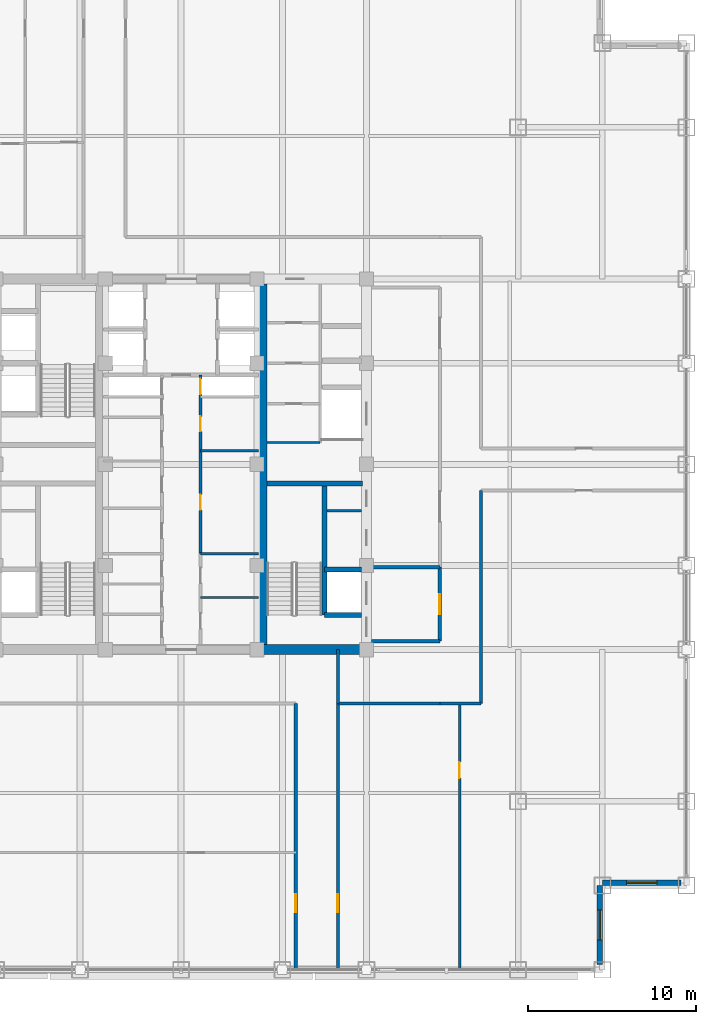
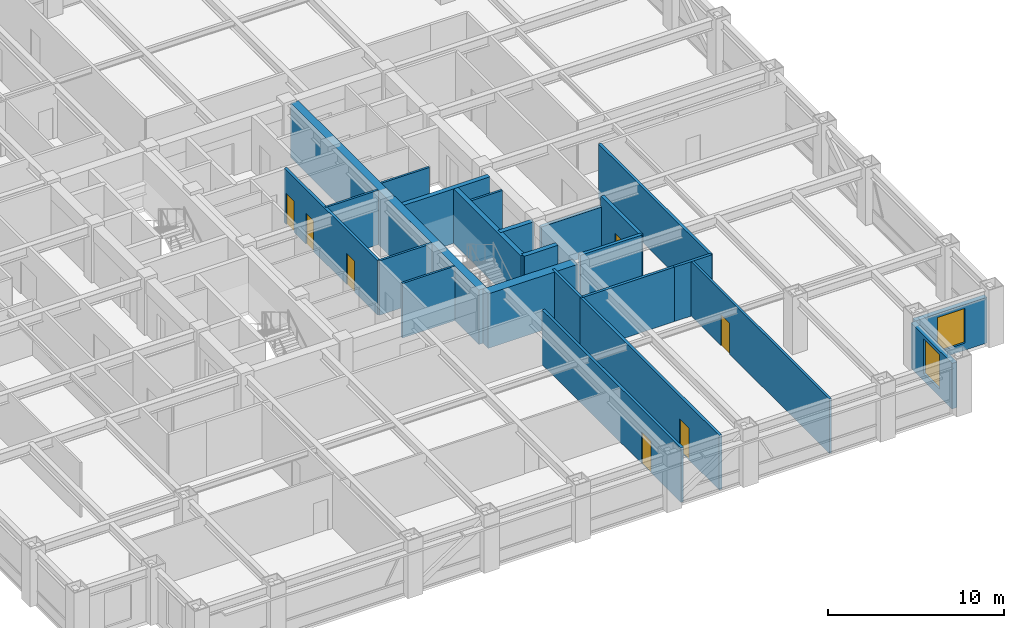
# One storey, part 21 of 29: 24 walls, 7 doors, 2 windows, 9 openings.
"""IFC4 building model written with IfcOpenShell, lengths in metres."""

from ifc_helpers import new_model, si_unit, direction, frame, frame_2d, origin, place, context, subcontext, project, spatial, rectangle, extrude, source, transform, mapped, material, layer, layer_set, type_object, element, fill, save


model = new_model("IFC4")

# Units and contexts
model_context = context("Model", 3, precision=1e-05, world=origin(), true_north=direction((0.0, 1.0)))
body_context = subcontext(model_context, "Body", "Model", "MODEL_VIEW")
ifc_project = project(units=[si_unit("LENGTHUNIT", "METRE"), si_unit("AREAUNIT", "SQUARE_METRE"), si_unit("VOLUMEUNIT", "CUBIC_METRE"), si_unit("PLANEANGLEUNIT", "RADIAN"), si_unit("MASSUNIT", "GRAM", prefix="KILO")], contexts=[model_context])

# Site, building, storey
site_placement = place(None, origin())
site = spatial("IfcSite", under=ifc_project, at=site_placement, CompositionType="ELEMENT")
building_placement = place(site_placement, origin())
building = spatial("IfcBuilding", under=site, at=building_placement, Name="Khorayat Bourse Tower", CompositionType="ELEMENT")
storey_placement = place(building_placement, frame((0.0, 0.0, 243.10009765625)))
storey = spatial("IfcBuildingStorey", under=building, at=storey_placement, Name="L57", CompositionType="ELEMENT", Elevation=243.10009765625)

# Walls
ifc_material_1 = material(Name="Concrete C52/65", Category="concrete")
ifc_layer_1 = layer(ifc_material_1, 0.5)
ifc_layer_set_1 = layer_set([ifc_layer_1], Name="Concrete C52/65")
wall_type_1 = type_object("IfcWallType", Name="WAL-CORE-500", PredefinedType="SHEAR", material=ifc_layer_set_1)
shared_shape_1 = source(origin(), body_context, "Body", "SweptSolid", [
    extrude(rectangle(XDim=21.39990234375, YDim=0.5, at=frame_2d((10.699951171875, 0.0))), origin(), (0.0, 0.0, 1.0), 3.77978515625),
])
wall_1_placement = place(storey_placement, frame((4.85009765625, -10.699951171875, 0.0), z_axis=(0.0, 0.0, 1.0), x_axis=(0.0, 1.0, 0.0)))
element("IfcWall", 1, at=wall_1_placement, inside=storey, type_object=wall_type_1, Name="L57 Core Shear Wall PIER-E", PredefinedType="SHEAR", context=body_context, shape_type="MappedRepresentation", body=[
    mapped(shared_shape_1, transform((0.0, 0.0, 0.0), scale=1.0)),
])
ifc_material_2 = material(Name="Concrete C60/75", Category="concrete")
ifc_layer_2 = layer(ifc_material_2, 0.60009765625)
ifc_layer_set_2 = layer_set([ifc_layer_2], Name="Concrete C60/75")
wall_type_2 = type_object("IfcWallType", Name="WAL-CORE-600", PredefinedType="SHEAR", material=ifc_layer_set_2)
shared_shape_2 = source(origin(), body_context, "Body", "SweptSolid", [
    extrude(rectangle(XDim=5.89990234375, YDim=0.60009765625, at=frame_2d((2.949951171875, 0.0))), origin(), (0.0, 0.0, 1.0), 3.77978515625),
])
wall_2_placement = place(storey_placement, frame((4.85009765625, -11.0, 0.0), z_axis=(0.0, 0.0, 1.0), x_axis=(1.0, 0.0, 0.0)))
element("IfcWall", 2, at=wall_2_placement, inside=storey, type_object=wall_type_2, Name="L57 Core Shear Wall PIER-ES", PredefinedType="SHEAR", context=body_context, shape_type="MappedRepresentation", body=[
    mapped(shared_shape_2, transform((0.0, 0.0, 0.0), scale=1.0)),
])
ifc_material_3 = material(Name="Concrete C50/60", Category="concrete")
ifc_layer_3 = layer(ifc_material_3, 0.300048828125)
ifc_layer_set_3 = layer_set([ifc_layer_3], Name="Concrete C50/60")
wall_type_3 = type_object("IfcWallType", Name="WAL-SHAFT-300", PredefinedType="SHEAR", material=ifc_layer_set_3)
shared_shape_3 = source(origin(), body_context, "Body", "SweptSolid", [
    extrude(rectangle(XDim=5.64990234375, YDim=0.300048828125, at=frame_2d((2.824951171875, 0.0))), origin(), (0.0, 0.0, 1.0), 3.77978515625),
])
wall_3_placement = place(storey_placement, frame((5.10009765625, -1.14990234375, 0.0), z_axis=(0.0, 0.0, 1.0), x_axis=(1.0, 0.0, 0.0)))
element("IfcWall", 3, at=wall_3_placement, inside=storey, type_object=wall_type_3, Name="L57 Core Shear Wall ST3-DIV", PredefinedType="SHEAR", context=body_context, shape_type="MappedRepresentation", body=[
    mapped(shared_shape_3, transform((0.0, 0.0, 0.0), scale=1.0)),
])

# Wall, opening, window
ifc_material_4 = material(Name="Precast concrete C45/55", Category="concrete")
ifc_layer_4 = layer(ifc_material_4, 0.320068359375)
ifc_layer_set_4 = layer_set([ifc_layer_4], Name="Precast concrete C45/55")
wall_type_4 = type_object("IfcWallType", Name="WAL-EXT-STONE-320", PredefinedType="STANDARD", material=ifc_layer_set_4)
shared_shape_4 = source(origin(), body_context, "Body", "SweptSolid", [
    extrude(rectangle(XDim=4.679931640625, YDim=0.320068359375, at=frame_2d((2.33984375, 0.0))), origin(), (0.0, 0.0, 1.0), 3.163818359375),
])
wall_4_placement = place(storey_placement, frame((24.840087890625, -29.679931640625, 0.0), z_axis=(0.0, 0.0, 1.0), x_axis=(0.0, 1.0, 0.0)))
wall_4 = element("IfcWall", 4, at=wall_4_placement, inside=storey, type_object=wall_type_4, Name="L57 Re-Entrant Notch Limestone Wall SE-V", PredefinedType="STANDARD", context=body_context, shape_type="MappedRepresentation", body=[
    mapped(shared_shape_4, transform((0.0, 0.0, 0.0), scale=1.0)),
])
shared_shape_5 = source(origin(), body_context, "Body", "SweptSolid", [
    extrude(rectangle(XDim=1.800048828125, YDim=2.39990234375, at=frame_2d((0.89990234375, 1.199951171875))), frame((0.0, 0.169921875, 0.0), z_axis=(0.0, -1.0, 0.0), x_axis=(1.0, 0.0, 0.0)), (0.0, 0.0, 1.0), 0.340087890625),
])
opening_1_placement = place(wall_4_placement, frame((1.43994140625, 0.0, 0.5)))
opening_1 = element("IfcOpeningElement", 5, at=opening_1_placement, cuts=wall_4, Name="Opening WN-04", PredefinedType="OPENING", context=body_context, shape_type="MappedRepresentation", body=[
    mapped(shared_shape_5, transform((0.0, 0.0, 0.0), scale=1.0)),
])
ifc_material_5 = material(Name="Low-E acoustic laminated double glazing", Category="glass")
window_type = type_object("IfcWindowType", Name="WIN-NOTCH-1800x2400", PartitioningType="SINGLE_PANEL", PredefinedType="WINDOW", material=ifc_material_5)
shared_shape_6 = source(origin(), body_context, "Body", "SweptSolid", [
    extrude(rectangle(XDim=1.800048828125, YDim=2.39990234375, at=frame_2d((0.89990234375, 1.199951171875))), frame((0.0, 0.030029296875, 0.0), z_axis=(0.0, -1.0, 0.0), x_axis=(1.0, 0.0, 0.0)), (0.0, 0.0, 1.0), 0.06005859375),
])
window_1_placement = place(opening_1_placement, origin())
window_1 = element("IfcWindow", 6, at=window_1_placement, inside=storey, type_object=window_type, Name="L57 Facade Window 1", OverallHeight=2.39990234375, OverallWidth=1.800048828125, PartitioningType="SINGLE_PANEL", PredefinedType="WINDOW", context=body_context, shape_type="MappedRepresentation", body=[
    mapped(shared_shape_6, transform((0.0, 0.0, 0.0), scale=1.0)),
])
fill(opening_1, window_1)

wall_5_placement = place(storey_placement, frame((25.0, -24.840087890625, 0.0), z_axis=(0.0, 0.0, 1.0), x_axis=(1.0, 0.0, 0.0)))
wall_5 = element("IfcWall", 7, at=wall_5_placement, inside=storey, type_object=wall_type_4, Name="L57 Re-Entrant Notch Limestone Wall SE-H", PredefinedType="STANDARD", context=body_context, shape_type="MappedRepresentation", body=[
    mapped(shared_shape_4, transform((0.0, 0.0, 0.0), scale=1.0)),
])
opening_2_placement = place(wall_5_placement, frame((1.43994140625, 0.0, 0.5)))
opening_2 = element("IfcOpeningElement", 8, at=opening_2_placement, cuts=wall_5, Name="Opening WN-04", PredefinedType="OPENING", context=body_context, shape_type="MappedRepresentation", body=[
    mapped(shared_shape_5, transform((0.0, 0.0, 0.0), scale=1.0)),
])
window_2_placement = place(opening_2_placement, origin())
window_2 = element("IfcWindow", 9, at=window_2_placement, inside=storey, type_object=window_type, Name="L57 Facade Window 1", OverallHeight=2.39990234375, OverallWidth=1.800048828125, PartitioningType="SINGLE_PANEL", PredefinedType="WINDOW", context=body_context, shape_type="MappedRepresentation", body=[
    mapped(shared_shape_6, transform((0.0, 0.0, 0.0), scale=1.0)),
])
fill(opening_2, window_2)

# Walls
ifc_material_6 = material(Name="Aerated concrete blockwork", Category="masonry")
ifc_layer_5 = layer(ifc_material_6, 0.219970703125)
ifc_layer_set_5 = layer_set([ifc_layer_5], Name="Aerated concrete blockwork")
wall_type_5 = type_object("IfcWallType", Name="WAL-PART-FF-220", PredefinedType="PARTITIONING", material=ifc_layer_set_5)
shared_shape_7 = source(origin(), body_context, "Body", "SweptSolid", [
    extrude(rectangle(XDim=4.050048828125, YDim=0.219970703125, at=frame_2d((2.02490234375, 0.0))), origin(), (0.0, 0.0, 1.0), 3.0849609375),
])
wall_6_placement = place(storey_placement, frame((11.300048828125, -6.10009765625, 0.0), z_axis=(0.0, 0.0, 1.0), x_axis=(1.0, 0.0, 0.0)))
element("IfcWall", 10, at=wall_6_placement, inside=storey, type_object=wall_type_5, Name="L57 Partition WAL-L57-FFLE-N", PredefinedType="PARTITIONING", context=body_context, shape_type="MappedRepresentation", body=[
    mapped(shared_shape_7, transform((0.0, 0.0, 0.0), scale=1.0)),
])
shared_shape_8 = source(origin(), body_context, "Body", "SweptSolid", [
    extrude(rectangle(XDim=7.800048828125, YDim=0.300048828125, at=frame_2d((3.89990234375, 0.0))), origin(), (0.0, 0.0, 1.0), 3.77978515625),
])
wall_7_placement = place(storey_placement, frame((8.5, -8.949951171875, 0.0), z_axis=(0.0, 0.0, 1.0), x_axis=(0.0, 1.0, 0.0)))
element("IfcWall", 11, at=wall_7_placement, inside=storey, type_object=wall_type_3, Name="L57 Partition WAL-L57-EPIER-SP", PredefinedType="SHEAR", context=body_context, shape_type="MappedRepresentation", body=[
    mapped(shared_shape_8, transform((0.0, 0.0, 0.0), scale=1.0)),
])
shared_shape_9 = source(origin(), body_context, "Body", "SweptSolid", [
    extrude(rectangle(XDim=2.199951171875, YDim=0.300048828125, at=frame_2d((1.10009765625, 0.0))), origin(), (0.0, 0.0, 1.0), 3.77978515625),
])
for number, where, z_axis, x_axis, name in (
    (12, (8.5, -8.949951171875, 0.0), (0.0, 0.0, 1.0), (1.0, 0.0, 0.0), "L57 Partition WAL-L57-EPIER-FF2S"),
    (13, (8.5, -6.25, 0.0), (0.0, 0.0, 1.0), (1.0, 0.0, 0.0), "L57 Partition WAL-L57-EPIER-FF2N"),
):
    element("IfcWall", number, at=place(storey_placement, frame(where, z_axis=z_axis, x_axis=x_axis)), inside=storey, type_object=wall_type_3, Name=name, PredefinedType="SHEAR", context=body_context, shape_type="MappedRepresentation", body=[
        mapped(shared_shape_9, transform((0.0, 0.0, 0.0), scale=1.0)),
    ])
ifc_material_7 = material(Name="Gypsum plasterboard twin-frame partition")
ifc_layer_6 = layer(ifc_material_7, 0.14990234375)
ifc_layer_set_6 = layer_set([ifc_layer_6], Name="Gypsum plasterboard twin-frame partition")
wall_type_6 = type_object("IfcWallType", Name="WAL-PART-SUITE-150", PredefinedType="PARTITIONING", material=ifc_layer_set_6)
shared_shape_10 = source(origin(), body_context, "Body", "SweptSolid", [
    extrude(rectangle(XDim=2.050048828125, YDim=0.14990234375, at=frame_2d((1.02490234375, 0.0))), origin(), (0.0, 0.0, 1.0), 3.77978515625),
])
wall_8_placement = place(storey_placement, frame((8.64990234375, -2.75, 0.0), z_axis=(0.0, 0.0, 1.0), x_axis=(1.0, 0.0, 0.0)))
element("IfcWall", 14, at=wall_8_placement, inside=storey, type_object=wall_type_6, Name="L57 Partition WAL-L57-ESRV-D1", PredefinedType="PARTITIONING", context=body_context, shape_type="MappedRepresentation", body=[
    mapped(shared_shape_10, transform((0.0, 0.0, 0.0), scale=1.0)),
])
ifc_material_8 = material(Name="Moisture-resistant masonry partition", Category="masonry")
ifc_layer_7 = layer(ifc_material_8, 0.139892578125)
ifc_layer_set_7 = layer_set([ifc_layer_7], Name="Moisture-resistant masonry partition")
wall_type_7 = type_object("IfcWallType", Name="WAL-PART-WET-140", PredefinedType="PARTITIONING", material=ifc_layer_set_7)
shared_shape_11 = source(origin(), body_context, "Body", "SweptSolid", [
    extrude(rectangle(XDim=3.14990234375, YDim=0.139892578125, at=frame_2d((1.574951171875, 0.0))), origin(), (0.0, 0.0, 1.0), 3.77978515625),
])
wall_9_placement = place(storey_placement, frame((5.10009765625, 1.300048828125, 0.0), z_axis=(0.0, 0.0, 1.0), x_axis=(1.0, 0.0, 0.0)))
element("IfcWall", 15, at=wall_9_placement, inside=storey, type_object=wall_type_7, Name="L57 Partition WAL-L57-ECORE-S", PredefinedType="PARTITIONING", context=body_context, shape_type="MappedRepresentation", body=[
    mapped(shared_shape_11, transform((0.0, 0.0, 0.0), scale=1.0)),
])
shared_shape_12 = source(origin(), body_context, "Body", "SweptSolid", [
    extrude(rectangle(XDim=4.050048828125, YDim=0.219970703125, at=frame_2d((2.02490234375, 0.0))), origin(), (0.0, 0.0, 1.0), 3.77978515625),
])
wall_10_placement = place(storey_placement, frame((11.300048828125, -10.5, 0.0), z_axis=(0.0, 0.0, 1.0), x_axis=(1.0, 0.0, 0.0)))
element("IfcWall", 16, at=wall_10_placement, inside=storey, type_object=wall_type_5, Name="L57 Partition WAL-L57-FFLE-S", PredefinedType="PARTITIONING", context=body_context, shape_type="MappedRepresentation", body=[
    mapped(shared_shape_12, transform((0.0, 0.0, 0.0), scale=1.0)),
])

# Wall, opening, door
shared_shape_13 = source(origin(), body_context, "Body", "SweptSolid", [
    extrude(rectangle(XDim=4.39990234375, YDim=0.219970703125, at=frame_2d((2.199951171875, 0.0))), origin(), (0.0, 0.0, 1.0), 3.77978515625),
])
wall_11_placement = place(storey_placement, frame((15.35009765625, -10.5, 0.0), z_axis=(0.0, 0.0, 1.0), x_axis=(0.0, 1.0, 0.0)))
wall_11 = element("IfcWall", 17, at=wall_11_placement, inside=storey, type_object=wall_type_5, Name="L57 Partition WAL-L57-FFLE-E", PredefinedType="PARTITIONING", context=body_context, shape_type="MappedRepresentation", body=[
    mapped(shared_shape_13, transform((0.0, 0.0, 0.0), scale=1.0)),
])
shared_shape_14 = source(origin(), body_context, "Body", "SweptSolid", [
    extrude(rectangle(XDim=1.199951171875, YDim=2.199951171875, at=frame_2d((0.60009765625, 1.10009765625))), frame((0.0, 0.119873046875, 0.0), z_axis=(0.0, -1.0, 0.0), x_axis=(1.0, 0.0, 0.0)), (0.0, 0.0, 1.0), 0.239990234375),
])
opening_3_placement = place(wall_11_placement, frame((1.60009765625, 0.0, 0.0)))
opening_3 = element("IfcOpeningElement", 18, at=opening_3_placement, cuts=wall_11, Name="Opening DI-02", PredefinedType="OPENING", context=body_context, shape_type="MappedRepresentation", body=[
    mapped(shared_shape_14, transform((0.0, 0.0, 0.0), scale=1.0)),
])
ifc_material_9 = material(Name="Fire-rated steel double-seal leaf", Category="steel")
door_type_1 = type_object("IfcDoorType", Name="DR-INT-FFLOBBY-1200", OperationType="NOTDEFINED", PredefinedType="DOOR", material=ifc_material_9)
shared_shape_15 = source(origin(), body_context, "Body", "SweptSolid", [
    extrude(rectangle(XDim=1.199951171875, YDim=2.199951171875, at=frame_2d((0.60009765625, 1.10009765625))), frame((0.0, 0.02490234375, 0.0), z_axis=(0.0, -1.0, 0.0), x_axis=(1.0, 0.0, 0.0)), (0.0, 0.0, 1.0), 0.050048828125),
])
door_1_placement = place(opening_3_placement, origin())
door_1 = element("IfcDoor", 19, at=door_1_placement, inside=storey, type_object=door_type_1, Name="L57 East Firefighting Lobby Door", OperationType="SINGLE_SWING_RIGHT", OverallHeight=2.199951171875, OverallWidth=1.199951171875, PredefinedType="DOOR", context=body_context, shape_type="MappedRepresentation", body=[
    mapped(shared_shape_15, transform((0.0, 0.0, 0.0), scale=1.0)),
])
fill(opening_3, door_1)

# Walls
shared_shape_16 = source(origin(), body_context, "Body", "SweptSolid", [
    extrude(rectangle(XDim=3.4501953125, YDim=0.14990234375, at=frame_2d((1.72509765625, 0.0))), origin(), (0.0, 0.0, 1.0), 3.77978515625),
])
wall_12_placement = place(storey_placement, frame((1.14990234375, -5.300048828125, 0.0), z_axis=(0.0, 0.0, 1.0), x_axis=(1.0, 0.0, 0.0)))
element("IfcWall", 20, at=wall_12_placement, inside=storey, type_object=wall_type_6, Name="L57 Partition WAL-L57-FB1-NE", PredefinedType="PARTITIONING", context=body_context, shape_type="MappedRepresentation", body=[
    mapped(shared_shape_16, transform((0.0, 0.0, 0.0), scale=1.0)),
])
shared_shape_17 = source(origin(), body_context, "Body", "SweptSolid", [
    extrude(rectangle(XDim=3.4501953125, YDim=0.139892578125, at=frame_2d((1.72509765625, 0.0))), origin(), (0.0, 0.0, 1.0), 3.77978515625),
])
for number, where, z_axis, x_axis, name in (
    (21, (1.14990234375, -7.89990234375, 0.0), (0.0, 0.0, 1.0), (1.0, 0.0, 0.0), "L57 Partition WAL-L57-FB1E-D1"),
    (22, (1.14990234375, 0.800048828125, 0.0), (0.0, 0.0, 1.0), (1.0, 0.0, 0.0), "L57 Partition WAL-L57-CME-D1"),
):
    element("IfcWall", number, at=place(storey_placement, frame(where, z_axis=z_axis, x_axis=x_axis)), inside=storey, type_object=wall_type_7, Name=name, PredefinedType="PARTITIONING", context=body_context, shape_type="MappedRepresentation", body=[
        mapped(shared_shape_17, transform((0.0, 0.0, 0.0), scale=1.0)),
    ])

# Wall, openings, doors
ifc_material_10 = material(Name="Gypsum plasterboard acoustic stud wall")
ifc_layer_8 = layer(ifc_material_10, 0.179931640625)
ifc_layer_set_8 = layer_set([ifc_layer_8], Name="Gypsum plasterboard acoustic stud wall")
wall_type_8 = type_object("IfcWallType", Name="WAL-PART-CORR-180", PredefinedType="PARTITIONING", material=ifc_layer_set_8)
shared_shape_18 = source(origin(), body_context, "Body", "SweptSolid", [
    extrude(rectangle(XDim=10.60009765625, YDim=0.179931640625, at=frame_2d((5.300048828125, 0.0))), origin(), (0.0, 0.0, 1.0), 3.77978515625),
])
wall_13_placement = place(storey_placement, frame((1.14990234375, -5.300048828125, 0.0), z_axis=(0.0, 0.0, 1.0), x_axis=(0.0, 1.0, 0.0)))
wall_13 = element("IfcWall", 23, at=wall_13_placement, inside=storey, type_object=wall_type_8, Name="L57 Partition WAL-L57-CME-L", PredefinedType="PARTITIONING", context=body_context, shape_type="MappedRepresentation", body=[
    mapped(shared_shape_18, transform((0.0, 0.0, 0.0), scale=1.0)),
])
shared_shape_19 = source(origin(), body_context, "Body", "SweptSolid", [
    extrude(rectangle(XDim=0.89990234375, YDim=2.14990234375, at=frame_2d((0.449951171875, 1.074951171875))), frame((0.0, 0.099853515625, 0.0), z_axis=(0.0, -1.0, 0.0), x_axis=(1.0, 0.0, 0.0)), (0.0, 0.0, 1.0), 0.199951171875),
])
opening_4_placement = place(wall_13_placement, frame((2.60009765625, 0.0, 0.0)))
opening_4 = element("IfcOpeningElement", 24, at=opening_4_placement, cuts=wall_13, Name="Opening DI-06", PredefinedType="OPENING", context=body_context, shape_type="MappedRepresentation", body=[
    mapped(shared_shape_19, transform((0.0, 0.0, 0.0), scale=1.0)),
])
opening_5_placement = place(wall_13_placement, frame((7.25, 0.0, 0.0)))
opening_5 = element("IfcOpeningElement", 25, at=opening_5_placement, cuts=wall_13, Name="Opening DI-06", PredefinedType="OPENING", context=body_context, shape_type="MappedRepresentation", body=[
    mapped(shared_shape_19, transform((0.0, 0.0, 0.0), scale=1.0)),
])
opening_6_placement = place(wall_13_placement, frame((9.47509765625, 0.0, 0.0)))
opening_6 = element("IfcOpeningElement", 26, at=opening_6_placement, cuts=wall_13, Name="Opening DI-06", PredefinedType="OPENING", context=body_context, shape_type="MappedRepresentation", body=[
    mapped(shared_shape_19, transform((0.0, 0.0, 0.0), scale=1.0)),
])
ifc_material_11 = material(Name="Moisture-resistant laminate washroom door")
door_type_2 = type_object("IfcDoorType", Name="DR-INT-WC-900", OperationType="NOTDEFINED", PredefinedType="DOOR", material=ifc_material_11)
shared_shape_20 = source(origin(), body_context, "Body", "SweptSolid", [
    extrude(rectangle(XDim=0.89990234375, YDim=2.14990234375, at=frame_2d((0.449951171875, 1.074951171875))), frame((0.0, 0.02490234375, 0.0), z_axis=(0.0, -1.0, 0.0), x_axis=(1.0, 0.0, 0.0)), (0.0, 0.0, 1.0), 0.050048828125),
])
door_2_placement = place(opening_4_placement, origin())
door_2 = element("IfcDoor", 27, at=door_2_placement, inside=storey, type_object=door_type_2, Name="L57 Female Core Washroom Door", OperationType="SINGLE_SWING_RIGHT", OverallHeight=2.14990234375, OverallWidth=0.89990234375, PredefinedType="DOOR", context=body_context, shape_type="MappedRepresentation", body=[
    mapped(shared_shape_20, transform((0.0, 0.0, 0.0), scale=1.0)),
])
fill(opening_4, door_2)
door_3_placement = place(opening_5_placement, origin())
door_3 = element("IfcDoor", 28, at=door_3_placement, inside=storey, type_object=door_type_2, Name="L57 Smoke Extract Fan Plant Room Door", OperationType="SINGLE_SWING_LEFT", OverallHeight=2.14990234375, OverallWidth=0.89990234375, PredefinedType="DOOR", context=body_context, shape_type="MappedRepresentation", body=[
    mapped(shared_shape_20, transform((0.0, 0.0, 0.0), scale=1.0)),
])
fill(opening_5, door_3)
door_4_placement = place(opening_6_placement, origin())
door_4 = element("IfcDoor", 29, at=door_4_placement, inside=storey, type_object=door_type_2, Name="L57 East Core Riser Door", OperationType="SINGLE_SWING_RIGHT", OverallHeight=2.14990234375, OverallWidth=0.89990234375, PredefinedType="DOOR", context=body_context, shape_type="MappedRepresentation", body=[
    mapped(shared_shape_20, transform((0.0, 0.0, 0.0), scale=1.0)),
])
fill(opening_6, door_4)

# Walls
shared_shape_21 = source(origin(), body_context, "Body", "SweptSolid", [
    extrude(rectangle(XDim=2.449951171875, YDim=0.179931640625, at=frame_2d((1.22509765625, 0.0))), origin(), (0.0, 0.0, 1.0), 3.77978515625),
])
wall_14_placement = place(storey_placement, frame((15.35009765625, -14.199951171875, 0.0), z_axis=(0.0, 0.0, 1.0), x_axis=(1.0, 0.0, 0.0)))
element("IfcWall", 30, at=wall_14_placement, inside=storey, type_object=wall_type_8, Name="L57 Partition WAL-L57-C2-ES", PredefinedType="PARTITIONING", context=body_context, shape_type="MappedRepresentation", body=[
    mapped(shared_shape_21, transform((0.0, 0.0, 0.0), scale=1.0)),
])
shared_shape_22 = source(origin(), body_context, "Body", "SweptSolid", [
    extrude(rectangle(XDim=3.199951171875, YDim=0.179931640625, at=frame_2d((1.60009765625, 0.0))), origin(), (0.0, 0.0, 1.0), 3.77978515625),
])
wall_15_placement = place(storey_placement, frame((9.300048828125, -14.199951171875, 0.0), z_axis=(0.0, 0.0, 1.0), x_axis=(0.0, 1.0, 0.0)))
element("IfcWall", 31, at=wall_15_placement, inside=storey, type_object=wall_type_8, Name="L57 Partition WAL-L57-C2-SCE", PredefinedType="PARTITIONING", context=body_context, shape_type="MappedRepresentation", body=[
    mapped(shared_shape_22, transform((0.0, 0.0, 0.0), scale=1.0)),
])

# Wall, opening, door
shared_shape_23 = source(origin(), body_context, "Body", "SweptSolid", [
    extrude(rectangle(XDim=15.800048828125, YDim=0.14990234375, at=frame_2d((7.89990234375, 0.0))), origin(), (0.0, 0.0, 1.0), 3.77978515625),
])
wall_16_placement = place(storey_placement, frame((16.52197265625, -30.0, 0.0), z_axis=(0.0, 0.0, 1.0), x_axis=(0.0, 1.0, 0.0)))
wall_16 = element("IfcWall", 32, at=wall_16_placement, inside=storey, type_object=wall_type_6, Name="L57 Partition WAL-L57-QSEDV-1", PredefinedType="PARTITIONING", context=body_context, shape_type="MappedRepresentation", body=[
    mapped(shared_shape_23, transform((0.0, 0.0, 0.0), scale=1.0)),
])
shared_shape_24 = source(origin(), body_context, "Body", "SweptSolid", [
    extrude(rectangle(XDim=0.949951171875, YDim=2.14990234375, at=frame_2d((0.47509765625, 1.074951171875))), frame((0.0, 0.0849609375, 0.0), z_axis=(0.0, -1.0, 0.0), x_axis=(1.0, 0.0, 0.0)), (0.0, 0.0, 1.0), 0.169921875),
])
opening_7_placement = place(wall_16_placement, frame((11.375, 0.0, 0.0)))
opening_7 = element("IfcOpeningElement", 33, at=opening_7_placement, cuts=wall_16, Name="Opening DI-05", PredefinedType="OPENING", context=body_context, shape_type="MappedRepresentation", body=[
    mapped(shared_shape_24, transform((0.0, 0.0, 0.0), scale=1.0)),
])
ifc_material_12 = material(Name="Acoustic oak veneer office door")
door_type_3 = type_object("IfcDoorType", Name="DR-INT-OFFICE-950", OperationType="NOTDEFINED", PredefinedType="DOOR", material=ifc_material_12)
shared_shape_25 = source(origin(), body_context, "Body", "SweptSolid", [
    extrude(rectangle(XDim=0.949951171875, YDim=2.14990234375, at=frame_2d((0.47509765625, 1.074951171875))), frame((0.0, 0.02490234375, 0.0), z_axis=(0.0, -1.0, 0.0), x_axis=(1.0, 0.0, 0.0)), (0.0, 0.0, 1.0), 0.050048828125),
])
door_5_placement = place(opening_7_placement, origin())
door_5 = element("IfcDoor", 34, at=door_5_placement, inside=storey, type_object=door_type_3, Name="L57 South-East Suite Link 1", OperationType="SINGLE_SWING_RIGHT", OverallHeight=2.14990234375, OverallWidth=0.949951171875, PredefinedType="DOOR", context=body_context, shape_type="MappedRepresentation", body=[
    mapped(shared_shape_25, transform((0.0, 0.0, 0.0), scale=1.0)),
])
fill(opening_7, door_5)

shared_shape_26 = source(origin(), body_context, "Body", "SweptSolid", [
    extrude(rectangle(XDim=15.800048828125, YDim=0.179931640625, at=frame_2d((7.89990234375, 0.0))), origin(), (0.0, 0.0, 1.0), 3.77978515625),
])
wall_17_placement = place(storey_placement, frame((6.800048828125, -30.0, 0.0), z_axis=(0.0, 0.0, 1.0), x_axis=(0.0, 1.0, 0.0)))
wall_17 = element("IfcWall", 35, at=wall_17_placement, inside=storey, type_object=wall_type_8, Name="L57 Partition WAL-L57-QSW-SPK", PredefinedType="PARTITIONING", context=body_context, shape_type="MappedRepresentation", body=[
    mapped(shared_shape_26, transform((0.0, 0.0, 0.0), scale=1.0)),
])
shared_shape_27 = source(origin(), body_context, "Body", "SweptSolid", [
    extrude(rectangle(XDim=1.050048828125, YDim=2.199951171875, at=frame_2d((0.52490234375, 1.10009765625))), frame((0.0, 0.099853515625, 0.0), z_axis=(0.0, -1.0, 0.0), x_axis=(1.0, 0.0, 0.0)), (0.0, 0.0, 1.0), 0.199951171875),
])
opening_8_placement = place(wall_17_placement, frame((3.425048828125, 0.0, 0.0)))
opening_8 = element("IfcOpeningElement", 36, at=opening_8_placement, cuts=wall_17, Name="Opening DI-04", PredefinedType="OPENING", context=body_context, shape_type="MappedRepresentation", body=[
    mapped(shared_shape_27, transform((0.0, 0.0, 0.0), scale=1.0)),
])
ifc_material_13 = material(Name="Fire-rated oak veneer suite entrance door")
door_type_4 = type_object("IfcDoorType", Name="DR-INT-SUITE-1050", OperationType="NOTDEFINED", PredefinedType="DOOR", material=ifc_material_13)
shared_shape_28 = source(origin(), body_context, "Body", "SweptSolid", [
    extrude(rectangle(XDim=1.050048828125, YDim=2.199951171875, at=frame_2d((0.52490234375, 1.10009765625))), frame((0.0, 0.02490234375, 0.0), z_axis=(0.0, -1.0, 0.0), x_axis=(1.0, 0.0, 0.0)), (0.0, 0.0, 1.0), 0.050048828125),
])
door_6_placement = place(opening_8_placement, origin())
door_6 = element("IfcDoor", 37, at=door_6_placement, inside=storey, type_object=door_type_4, Name="L57 South-West Radial Spoke Entry", OperationType="SINGLE_SWING_LEFT", OverallHeight=2.199951171875, OverallWidth=1.050048828125, PredefinedType="DOOR", context=body_context, shape_type="MappedRepresentation", body=[
    mapped(shared_shape_28, transform((0.0, 0.0, 0.0), scale=1.0)),
])
fill(opening_8, door_6)

wall_18_placement = place(storey_placement, frame((9.300048828125, -30.0, 0.0), z_axis=(0.0, 0.0, 1.0), x_axis=(0.0, 1.0, 0.0)))
wall_18 = element("IfcWall", 38, at=wall_18_placement, inside=storey, type_object=wall_type_8, Name="L57 Partition WAL-L57-QSE-SPK", PredefinedType="PARTITIONING", context=body_context, shape_type="MappedRepresentation", body=[
    mapped(shared_shape_26, transform((0.0, 0.0, 0.0), scale=1.0)),
])
opening_9_placement = place(wall_18_placement, frame((3.425048828125, 0.0, 0.0)))
opening_9 = element("IfcOpeningElement", 39, at=opening_9_placement, cuts=wall_18, Name="Opening DI-04", PredefinedType="OPENING", context=body_context, shape_type="MappedRepresentation", body=[
    mapped(shared_shape_27, transform((0.0, 0.0, 0.0), scale=1.0)),
])
door_7_placement = place(opening_9_placement, origin())
door_7 = element("IfcDoor", 40, at=door_7_placement, inside=storey, type_object=door_type_4, Name="L57 South-East Radial Spoke Entry", OperationType="SINGLE_SWING_LEFT", OverallHeight=2.199951171875, OverallWidth=1.050048828125, PredefinedType="DOOR", context=body_context, shape_type="MappedRepresentation", body=[
    mapped(shared_shape_28, transform((0.0, 0.0, 0.0), scale=1.0)),
])
fill(opening_9, door_7)

# Walls
shared_shape_29 = source(origin(), body_context, "Body", "SweptSolid", [
    extrude(rectangle(XDim=6.050048828125, YDim=0.179931640625, at=frame_2d((3.02490234375, 0.0))), origin(), (0.0, 0.0, 1.0), 3.77978515625),
])
wall_19_placement = place(storey_placement, frame((9.300048828125, -14.199951171875, 0.0), z_axis=(0.0, 0.0, 1.0), x_axis=(1.0, 0.0, 0.0)))
element("IfcWall", 41, at=wall_19_placement, inside=storey, type_object=wall_type_8, Name="L57 Partition WAL-L57-QSE-HC", PredefinedType="PARTITIONING", context=body_context, shape_type="MappedRepresentation", body=[
    mapped(shared_shape_29, transform((0.0, 0.0, 0.0), scale=1.0)),
])
shared_shape_30 = source(origin(), body_context, "Body", "SweptSolid", [
    extrude(rectangle(XDim=12.64990234375, YDim=0.179931640625, at=frame_2d((6.324951171875, 0.0))), origin(), (0.0, 0.0, 1.0), 3.77978515625),
])
wall_20_placement = place(storey_placement, frame((17.800048828125, -14.199951171875, 0.0), z_axis=(0.0, 0.0, 1.0), x_axis=(0.0, 1.0, 0.0)))
element("IfcWall", 42, at=wall_20_placement, inside=storey, type_object=wall_type_8, Name="L57 Partition WAL-L57-ES-IN", PredefinedType="PARTITIONING", context=body_context, shape_type="MappedRepresentation", body=[
    mapped(shared_shape_30, transform((0.0, 0.0, 0.0), scale=1.0)),
])

save(model, "model.ifc")
